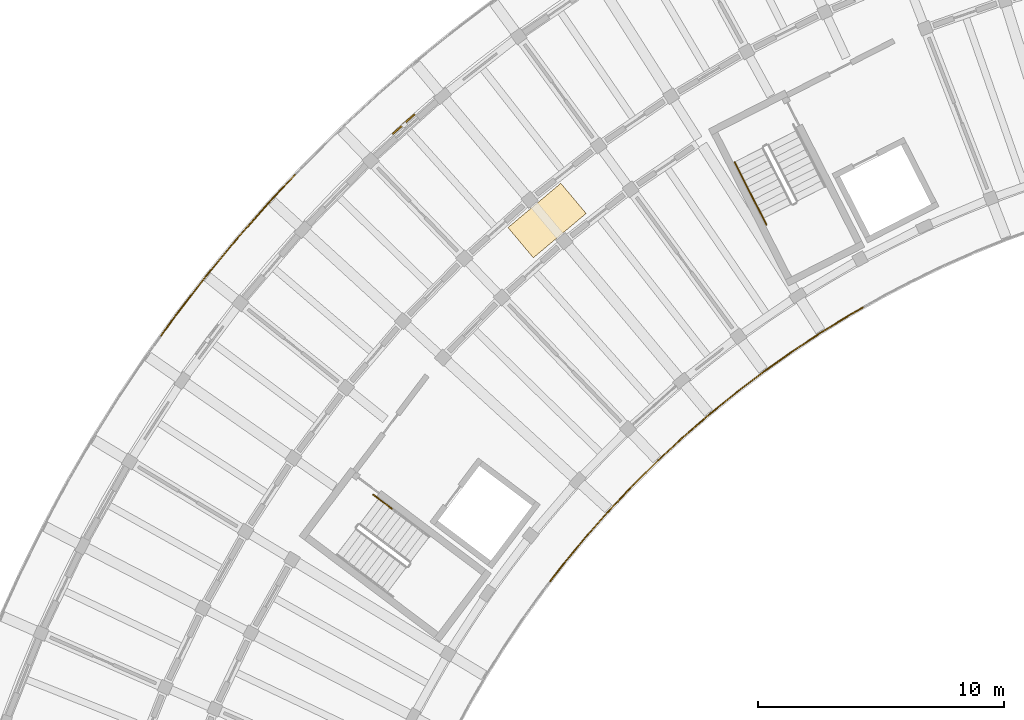
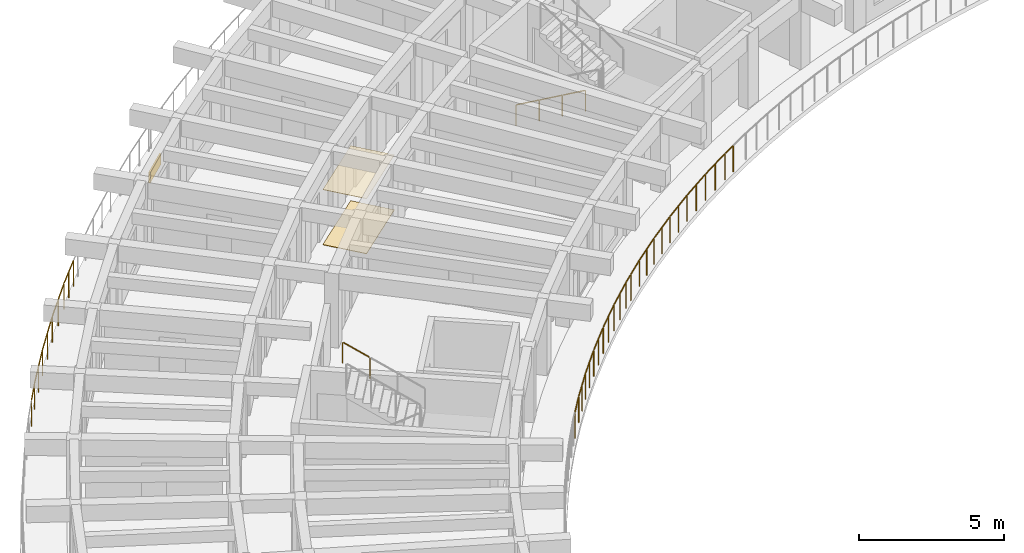
# One storey, part 34 of 41: 7 railings, 2 coverings, 1 shading device.
"""IFC4 building model written with IfcOpenShell, lengths in metres."""

from ifc_helpers import new_model, si_unit, direction, frame, origin, origin_2d, place, context, subcontext, project, spatial, rectangle, circle, extrude, material, layer, layer_set, type_object, element, save


model = new_model("IFC4")

# Units and contexts
model_context = context("Model", 3, precision=1e-05, world=origin(), true_north=direction((0.0, 1.0)))
body_context = subcontext(model_context, "Body", "Model", "MODEL_VIEW")
ifc_project = project(units=[si_unit("LENGTHUNIT", "METRE"), si_unit("AREAUNIT", "SQUARE_METRE"), si_unit("VOLUMEUNIT", "CUBIC_METRE"), si_unit("PLANEANGLEUNIT", "RADIAN"), si_unit("MASSUNIT", "GRAM", prefix="KILO")], contexts=[model_context])

# Site, building, storey
site_placement = place(None, origin())
site = spatial("IfcSite", under=ifc_project, at=site_placement, CompositionType="ELEMENT")
building_placement = place(site_placement, origin())
building = spatial("IfcBuilding", under=site, at=building_placement, Name="Tanwirah Colonnade Gardens", CompositionType="ELEMENT")
storey_placement = place(building_placement, frame((0.0, 0.0, 35.719970703125)))
storey = spatial("IfcBuildingStorey", under=building, at=storey_placement, Name="L10", CompositionType="ELEMENT", Elevation=35.719970703125)

# Railings
ifc_material_1 = material(Name="Precast concrete C40/50", Category="concrete")
railing_type_1 = type_object("IfcRailingType", Name="BAL-EXT112", PredefinedType="BALUSTRADE", material=ifc_material_1)
railing_1_placement = place(storey_placement, frame((43.792724609375, 97.23193359375, 0.0)))
element("IfcRailing", 1, at=railing_1_placement, inside=storey, type_object=railing_type_1, Name="Block A L10 Balcony Ribbon Balustrade 3", PredefinedType="BALUSTRADE", context=body_context, shape_type="SweptSolid", body=[
    extrude(circle(Radius=0.02392578125, at=origin_2d()), frame((-0.027099609375, -0.015380859375, 1.09619140625), z_axis=(-0.869282805804, -0.494315085278, 0.0), x_axis=(0.494315085278, -0.869282805804, 0.0)), (0.0, 0.0, 1.0), 0.5),
    extrude(circle(Radius=0.02392578125, at=origin_2d()), frame((-0.517822265625, -0.295654296875, 1.09619140625), z_axis=(-0.852623736113, -0.522525372223, 0.0), x_axis=(0.522525372223, -0.852623736113, 0.0)), (0.0, 0.0, 1.0), 1.342041015625),
    extrude(circle(Radius=0.02392578125, at=origin_2d()), frame((-1.717041015625, -1.031494140625, 1.09619140625), z_axis=(-0.834927342507, -0.550360184547, 0.0), x_axis=(0.550360184547, -0.834927342507, 0.0)), (0.0, 0.0, 1.0), 1.341796875),
    extrude(circle(Radius=0.02392578125, at=origin_2d()), frame((-2.891357421875, -1.806884765625, 1.09619140625), z_axis=(-0.816321661452, -0.577597563226, 0.0), x_axis=(0.577597563226, -0.816321661452, 0.0)), (0.0, 0.0, 1.0), 1.341552734375),
    extrude(circle(Radius=0.02392578125, at=origin_2d()), frame((-4.0390625, -2.6201171875, 1.09619140625), z_axis=(-0.796818244666, -0.604219070344, 0.0), x_axis=(0.604219070344, -0.796818244666, 0.0)), (0.0, 0.0, 1.0), 1.342041015625),
    extrude(circle(Radius=0.02392578125, at=origin_2d()), frame((-5.159423828125, -3.47119140625, 1.09619140625), z_axis=(-0.776491375378, -0.630127879056, 0.0), x_axis=(0.630127879056, -0.776491375378, 0.0)), (0.0, 0.0, 1.0), 1.342041015625),
    extrude(circle(Radius=0.02392578125, at=origin_2d()), frame((-6.25146484375, -4.358642578125, 1.09619140625), z_axis=(-0.755510038429, -0.655137071026, 0.0), x_axis=(0.655137071026, -0.755510038429, 0.0)), (0.0, 0.0, 1.0), 0.83740234375),
    extrude(circle(Radius=0.02099609375, at=origin_2d()), origin(), (0.0, 0.0, 1.0), 1.069091796875),
    extrude(circle(Radius=0.02099609375, at=origin_2d()), frame((-0.489013671875, -0.278076171875, 0.0)), (0.0, 0.0, 1.0), 1.069091796875),
    extrude(circle(Radius=0.02099609375, at=origin_2d()), frame((-1.08984375, -0.646240234375, 0.0)), (0.0, 0.0, 1.0), 1.069091796875),
    extrude(circle(Radius=0.02099609375, at=origin_2d()), frame((-1.688720703125, -1.01318359375, 0.0)), (0.0, 0.0, 1.0), 1.069091796875),
    extrude(circle(Radius=0.02099609375, at=origin_2d()), frame((-2.27734375, -1.40087890625, 0.0)), (0.0, 0.0, 1.0), 1.069091796875),
    extrude(circle(Radius=0.02099609375, at=origin_2d()), frame((-2.863525390625, -1.787353515625, 0.0)), (0.0, 0.0, 1.0), 1.069091796875),
    extrude(circle(Radius=0.02099609375, at=origin_2d()), frame((-3.43896484375, -2.1943359375, 0.0)), (0.0, 0.0, 1.0), 1.069091796875),
    extrude(circle(Radius=0.02099609375, at=origin_2d()), frame((-4.011962890625, -2.599853515625, 0.0)), (0.0, 0.0, 1.0), 1.069091796875),
    extrude(circle(Radius=0.02099609375, at=origin_2d()), frame((-4.57373046875, -3.025634765625, 0.0)), (0.0, 0.0, 1.0), 1.069091796875),
    extrude(circle(Radius=0.02099609375, at=origin_2d()), frame((-5.13330078125, -3.449951171875, 0.0)), (0.0, 0.0, 1.0), 1.069091796875),
    extrude(circle(Radius=0.02099609375, at=origin_2d()), frame((-5.6806640625, -3.89404296875, 0.0)), (0.0, 0.0, 1.0), 1.069091796875),
    extrude(circle(Radius=0.02099609375, at=origin_2d()), frame((-6.225830078125, -4.33642578125, 0.0)), (0.0, 0.0, 1.0), 1.069091796875),
    extrude(circle(Radius=0.02099609375, at=origin_2d()), frame((-6.90771484375, -4.927734375, 0.0)), (0.0, 0.0, 1.0), 1.069091796875),
])
railing_2_placement = place(storey_placement, frame((36.885009765625, 92.30419921875, 0.0)))
element("IfcRailing", 2, at=railing_2_placement, inside=storey, type_object=railing_type_1, Name="Block A L10 Balcony Ribbon Balustrade 4", PredefinedType="BALUSTRADE", context=body_context, shape_type="SweptSolid", body=[
    extrude(circle(Radius=0.02392578125, at=origin_2d()), frame((-0.023681640625, -0.0205078125, 1.09619140625), z_axis=(-0.75520968655, -0.655483279223, 0.0), x_axis=(0.655483279223, -0.75520968655, 0.0)), (0.0, 0.0, 1.0), 0.44189453125),
    extrude(circle(Radius=0.02392578125, at=origin_2d()), frame((-0.40576171875, -0.353515625, 1.09619140625), z_axis=(-0.73336899588, -0.679830799451, 0.0), x_axis=(0.679830799451, -0.73336899588, 0.0)), (0.0, 0.0, 1.0), 1.342041015625),
    extrude(circle(Radius=0.02392578125, at=origin_2d()), frame((-1.43701171875, -1.310791015625, 1.09619140625), z_axis=(-0.710488556831, -0.703708754111, 0.0), x_axis=(0.703708754111, -0.710488556831, 0.0)), (0.0, 0.0, 1.0), 1.341796875),
    extrude(circle(Radius=0.02392578125, at=origin_2d()), frame((-2.435791015625, -2.3017578125, 1.09619140625), z_axis=(-0.687011382404, -0.726646654466, 0.0), x_axis=(0.726646654466, -0.687011382404, 0.0)), (0.0, 0.0, 1.0), 1.341796875),
    extrude(circle(Radius=0.02392578125, at=origin_2d()), frame((-3.401611328125, -3.324951171875, 1.09619140625), z_axis=(-0.662581384852, -0.748989925464, 0.0), x_axis=(0.748989925464, -0.662581384852, 0.0)), (0.0, 0.0, 1.0), 1.341796875),
    extrude(circle(Radius=0.02392578125, at=origin_2d()), frame((-4.3330078125, -4.37939453125, 1.09619140625), z_axis=(-0.637581943595, -0.770382544715, 0.0), x_axis=(0.770382544715, -0.637581943595, 0.0)), (0.0, 0.0, 1.0), 1.342041015625),
    extrude(circle(Radius=0.02392578125, at=origin_2d()), frame((-5.229248046875, -5.4638671875, 1.09619140625), z_axis=(-0.611715754652, -0.791077641897, 0.0), x_axis=(0.791077641897, -0.611715754652, 0.0)), (0.0, 0.0, 1.0), 0.895751953125),
    extrude(circle(Radius=0.02099609375, at=origin_2d()), origin(), (0.0, 0.0, 1.0), 1.069091796875),
    extrude(circle(Radius=0.02099609375, at=origin_2d()), frame((-0.380859375, -0.33056640625, 0.0)), (0.0, 0.0, 1.0), 1.069091796875),
    extrude(circle(Radius=0.02099609375, at=origin_2d()), frame((-0.89794921875, -0.8095703125, 0.0)), (0.0, 0.0, 1.0), 1.069091796875),
    extrude(circle(Radius=0.02099609375, at=origin_2d()), frame((-1.412841796875, -1.287109375, 0.0)), (0.0, 0.0, 1.0), 1.069091796875),
    extrude(circle(Radius=0.02099609375, at=origin_2d()), frame((-1.91357421875, -1.782958984375, 0.0)), (0.0, 0.0, 1.0), 1.069091796875),
    extrude(circle(Radius=0.02099609375, at=origin_2d()), frame((-2.41259765625, -2.277099609375, 0.0)), (0.0, 0.0, 1.0), 1.069091796875),
    extrude(circle(Radius=0.02099609375, at=origin_2d()), frame((-2.896728515625, -2.789306640625, 0.0)), (0.0, 0.0, 1.0), 1.069091796875),
    extrude(circle(Radius=0.02099609375, at=origin_2d()), frame((-3.379150390625, -3.299560546875, 0.0)), (0.0, 0.0, 1.0), 1.069091796875),
    extrude(circle(Radius=0.02099609375, at=origin_2d()), frame((-3.84619140625, -3.827392578125, 0.0)), (0.0, 0.0, 1.0), 1.069091796875),
    extrude(circle(Radius=0.02099609375, at=origin_2d()), frame((-4.311279296875, -4.353271484375, 0.0)), (0.0, 0.0, 1.0), 1.069091796875),
    extrude(circle(Radius=0.02099609375, at=origin_2d()), frame((-4.7607421875, -4.896240234375, 0.0)), (0.0, 0.0, 1.0), 1.069091796875),
    extrude(circle(Radius=0.02099609375, at=origin_2d()), frame((-5.20849609375, -5.437255859375, 0.0)), (0.0, 0.0, 1.0), 1.069091796875),
    extrude(circle(Radius=0.02099609375, at=origin_2d()), frame((-5.79638671875, -6.197265625, 0.0)), (0.0, 0.0, 1.0), 1.069091796875),
])
railing_3_placement = place(storey_placement, frame((15.28759765625, 96.0859375, 0.0)))
element("IfcRailing", 3, at=railing_3_placement, inside=storey, type_object=railing_type_1, Name="Block A L10 Balcony Ribbon Balustrade 12", PredefinedType="BALUSTRADE", context=body_context, shape_type="SweptSolid", body=[
    extrude(circle(Radius=0.02392578125, at=origin_2d()), frame((0.018310546875, 0.025390625, 1.09619140625), z_axis=(0.585508026185, 0.810666609201, 0.0), x_axis=(-0.810666609201, 0.585508026185, 0.0)), (0.0, 0.0, 1.0), 0.957763671875),
    extrude(circle(Radius=0.02392578125, at=origin_2d()), frame((0.616455078125, 0.851806640625, 1.09619140625), z_axis=(0.611856467608, 0.790968812942, 0.0), x_axis=(-0.790968812942, 0.611856467608, 0.0)), (0.0, 0.0, 1.0), 1.958984375),
    extrude(circle(Radius=0.02392578125, at=origin_2d()), frame((1.854248046875, 2.4501953125, 1.09619140625), z_axis=(0.637555355491, 0.770404548717, 0.0), x_axis=(-0.770404548717, 0.637555355491, 0.0)), (0.0, 0.0, 1.0), 1.958984375),
    extrude(circle(Radius=0.02392578125, at=origin_2d()), frame((3.143798828125, 4.0068359375, 1.09619140625), z_axis=(0.662607760508, 0.748966591854, 0.0), x_axis=(-0.748966591854, 0.662607760508, 0.0)), (0.0, 0.0, 1.0), 1.958740234375),
    extrude(circle(Radius=0.02392578125, at=origin_2d()), frame((4.48388671875, 5.52001953125, 1.09619140625), z_axis=(0.686902074327, 0.726749984716, 0.0), x_axis=(-0.726749984716, 0.686902074327, 0.0)), (0.0, 0.0, 1.0), 1.352783203125),
    extrude(circle(Radius=0.02099609375, at=origin_2d()), origin(), (0.0, 0.0, 1.0), 1.069091796875),
    extrude(circle(Radius=0.02099609375, at=origin_2d()), frame((0.597412109375, 0.8271484375, 0.0)), (0.0, 0.0, 1.0), 1.069091796875),
    extrude(circle(Radius=0.02099609375, at=origin_2d()), frame((1.2158203125, 1.62646484375, 0.0)), (0.0, 0.0, 1.0), 1.069091796875),
    extrude(circle(Radius=0.02099609375, at=origin_2d()), frame((1.834228515625, 2.426025390625, 0.0)), (0.0, 0.0, 1.0), 1.069091796875),
    extrude(circle(Radius=0.02099609375, at=origin_2d()), frame((2.478515625, 3.20458984375, 0.0)), (0.0, 0.0, 1.0), 1.069091796875),
    extrude(circle(Radius=0.02099609375, at=origin_2d()), frame((3.123046875, 3.9833984375, 0.0)), (0.0, 0.0, 1.0), 1.069091796875),
    extrude(circle(Radius=0.02099609375, at=origin_2d()), frame((3.792724609375, 4.740234375, 0.0)), (0.0, 0.0, 1.0), 1.069091796875),
    extrude(circle(Radius=0.02099609375, at=origin_2d()), frame((4.46240234375, 5.497314453125, 0.0)), (0.0, 0.0, 1.0), 1.069091796875),
    extrude(circle(Radius=0.02099609375, at=origin_2d()), frame((4.948486328125, 6.01171875, 0.0)), (0.0, 0.0, 1.0), 1.069091796875),
    extrude(circle(Radius=0.02099609375, at=origin_2d()), frame((5.4345703125, 6.52587890625, 0.0)), (0.0, 0.0, 1.0), 1.069091796875),
])

# Coverings
ifc_material_2 = material(Name="Acoustic perforated gypsum ceiling board")
ifc_layer_1 = layer(ifc_material_2, 0.014892578125)
ifc_layer_set_1 = layer_set([ifc_layer_1], Name="Acoustic perforated gypsum ceiling board")
covering_type_1 = type_object("IfcCoveringType", Name="COV-CEIL15", PredefinedType="CEILING", material=ifc_layer_set_1)
covering_1_placement = place(storey_placement, frame((30.96435546875, 100.761962890625, 2.3125), z_axis=(0.0, 0.0, 1.0), x_axis=(-0.766044443119, -0.642787609687, 0.0)))
element("IfcCovering", 4, at=covering_1_placement, inside=storey, type_object=covering_type_1, Name="Block A L10 Corridor Acoustic Ceiling", PredefinedType="CEILING", context=body_context, shape_type="SweptSolid", body=[
    extrude(rectangle(XDim=2.800048828125, YDim=1.60009765625, at=origin_2d()), origin(), (0.0, 0.0, 1.0), 0.014892578125),
])
ifc_material_3 = material(Name="Honed Abu Dhabi limestone terrazzo flooring", Category="masonry")
ifc_layer_2 = layer(ifc_material_3, 0.02001953125)
ifc_layer_set_2 = layer_set([ifc_layer_2], Name="Honed Abu Dhabi limestone terrazzo flooring")
covering_type_2 = type_object("IfcCoveringType", Name="COV-FLR20", PredefinedType="FLOORING", material=ifc_layer_set_2)
covering_2_placement = place(storey_placement, frame((30.96435546875, 100.761962890625, 0.0), z_axis=(0.0, 0.0, 1.0), x_axis=(-0.766044443119, -0.642787609687, 0.0)))
element("IfcCovering", 5, at=covering_2_placement, inside=storey, type_object=covering_type_2, Name="Block A L10 Corridor Terrazzo Flooring", PredefinedType="FLOORING", context=body_context, shape_type="SweptSolid", body=[
    extrude(rectangle(XDim=2.800048828125, YDim=1.60009765625, at=origin_2d()), origin(), (0.0, 0.0, 1.0), 0.02001953125),
])

# Railings
ifc_material_4 = material(Name="Brushed bronze stainless steel", Category="steel")
railing_type_2 = type_object("IfcRailingType", Name="HR-ST090", PredefinedType="HANDRAIL", material=ifc_material_4)
railing_4_placement = place(storey_placement, frame((38.578369140625, 103.134521484375, 0.16796875)))
element("IfcRailing", 6, at=railing_4_placement, inside=storey, type_object=railing_type_2, Name="L10 ST-A1 stair handrail 1", PredefinedType="HANDRAIL", context=body_context, shape_type="SweptSolid", body=[
    extrude(circle(Radius=0.02392578125, at=origin_2d()), frame((0.01220703125, -0.02392578125, 0.891845703125), z_axis=(0.390007559961, -0.765447774728, 0.511843537946), x_axis=(0.891010084603, 0.453983511965, 0.0)), (0.0, 0.0, 1.0), 1.043701171875),
    extrude(circle(Radius=0.02099609375, at=origin_2d()), origin(), (0.0, 0.0, 1.0), 0.848876953125),
    extrude(circle(Radius=0.02099609375, at=origin_2d()), frame((0.431396484375, -0.8466796875, 0.566162109375)), (0.0, 0.0, 1.0), 0.848876953125),
])
railing_5_placement = place(storey_placement, frame((39.009765625, 102.287841796875, 0.734130859375)))
element("IfcRailing", 7, at=railing_5_placement, inside=storey, type_object=railing_type_2, Name="L10 ST-A1 stair handrail 2", PredefinedType="HANDRAIL", context=body_context, shape_type="SweptSolid", body=[
    extrude(circle(Radius=0.02392578125, at=origin_2d()), frame((0.01220703125, -0.02392578125, 0.891845703125), z_axis=(0.38993033558, -0.765508761867, 0.511811165275), x_axis=(0.891061070925, 0.453883429839, 0.0)), (0.0, 0.0, 1.0), 1.043212890625),
    extrude(circle(Radius=0.02099609375, at=origin_2d()), origin(), (0.0, 0.0, 1.0), 0.848876953125),
    extrude(circle(Radius=0.02099609375, at=origin_2d()), frame((0.43115234375, -0.846435546875, 0.56591796875)), (0.0, 0.0, 1.0), 0.848876953125),
])
railing_6_placement = place(storey_placement, frame((39.44091796875, 101.44140625, 1.300048828125)))
element("IfcRailing", 8, at=railing_6_placement, inside=storey, type_object=railing_type_2, Name="L10 ST-A1 stair handrail 3", PredefinedType="HANDRAIL", context=body_context, shape_type="SweptSolid", body=[
    extrude(circle(Radius=0.02392578125, at=origin_2d()), frame((0.01220703125, -0.02392578125, 0.891845703125), z_axis=(0.390117538533, -0.765442844423, 0.51176709356), x_axis=(0.890957114254, 0.454087459154, 0.0)), (0.0, 0.0, 1.0), 1.043212890625),
    extrude(circle(Radius=0.02099609375, at=origin_2d()), origin(), (0.0, 0.0, 1.0), 0.848876953125),
    extrude(circle(Radius=0.02099609375, at=origin_2d()), frame((0.431396484375, -0.846435546875, 0.56591796875)), (0.0, 0.0, 1.0), 0.848876953125),
])
railing_7_placement = place(storey_placement, frame((24.659423828125, 89.05859375, 2.97998046875)))
element("IfcRailing", 9, at=railing_7_placement, inside=storey, type_object=railing_type_2, Name="L10 ST-A2 stair handrail 6", PredefinedType="HANDRAIL", context=body_context, shape_type="SweptSolid", body=[
    extrude(circle(Radius=0.02392578125, at=origin_2d()), frame((-0.021484375, 0.01611328125, 0.891845703125), z_axis=(-0.686067825084, 0.516979036791, 0.511901958292), x_axis=(-0.601807485929, -0.798641189696, 0.0)), (0.0, 0.0, 1.0), 1.04345703125),
    extrude(circle(Radius=0.02099609375, at=origin_2d()), origin(), (0.0, 0.0, 1.0), 0.848876953125),
    extrude(circle(Radius=0.02099609375, at=origin_2d()), frame((-0.7587890625, 0.57177734375, 0.566162109375)), (0.0, 0.0, 1.0), 0.848876953125),
])

# Shading device
ifc_material_5 = material(Name="Perforated architectural bronze aluminium", Category="aluminium")
ifc_layer_3 = layer(ifc_material_5, 0.050048828125)
ifc_layer_set_3 = layer_set([ifc_layer_3], Name="Perforated architectural bronze aluminium")
shading_device_type = type_object("IfcShadingDeviceType", Name="SHD-OVH1", PredefinedType="SHUTTER", material=ifc_layer_set_3)
shading_device_placement = place(storey_placement, frame((25.142578125, 104.68017578125, 1.93505859375), z_axis=(0.0, 0.0, 1.0), x_axis=(-0.744439844011, -0.667689537621, 0.0)))
element("IfcShadingDevice", 10, at=shading_device_placement, inside=storey, type_object=shading_device_type, Name="Solar shading louver hood A-L10-09", PredefinedType="SHUTTER", context=body_context, shape_type="SweptSolid", body=[
    extrude(rectangle(XDim=1.199951171875, YDim=0.06005859375, at=origin_2d()), origin(), (0.0, 0.0, 1.0), 0.449951171875),
])

save(model, "model.ifc")
